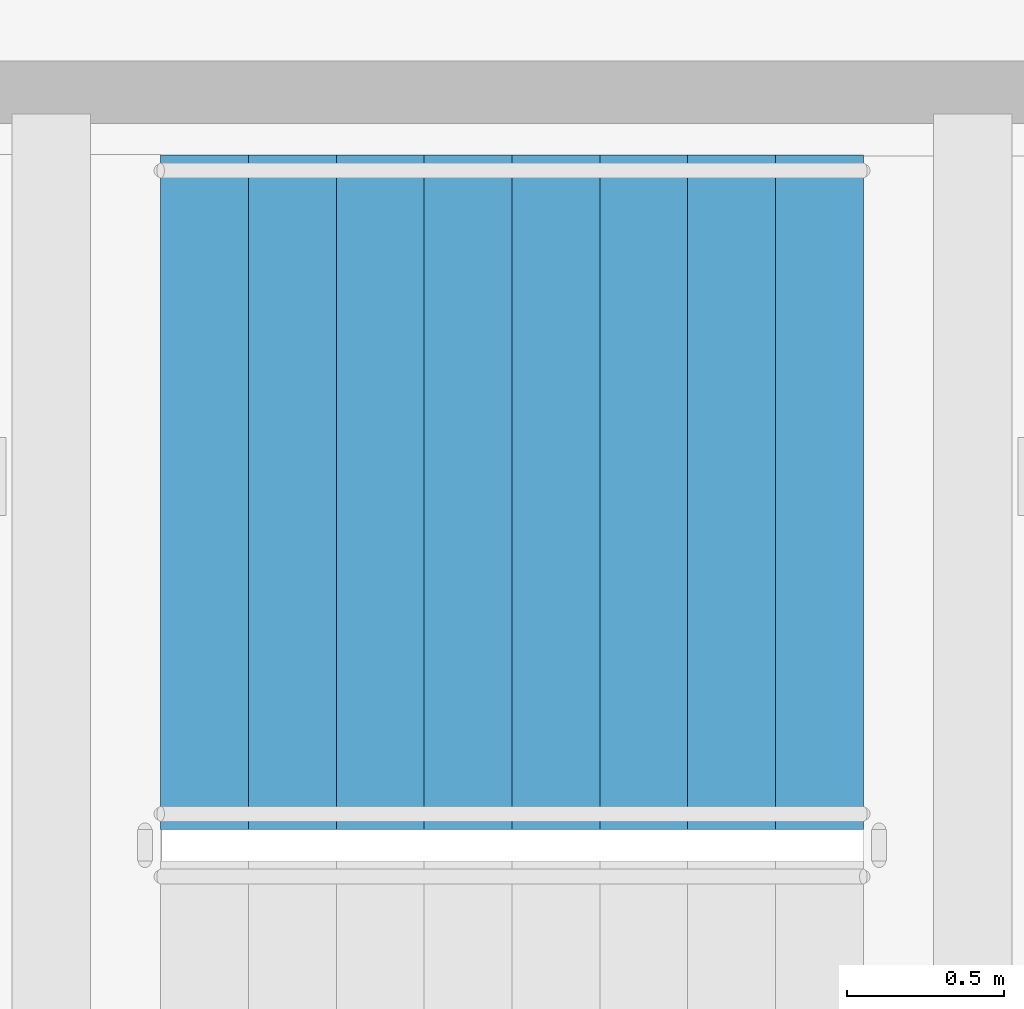
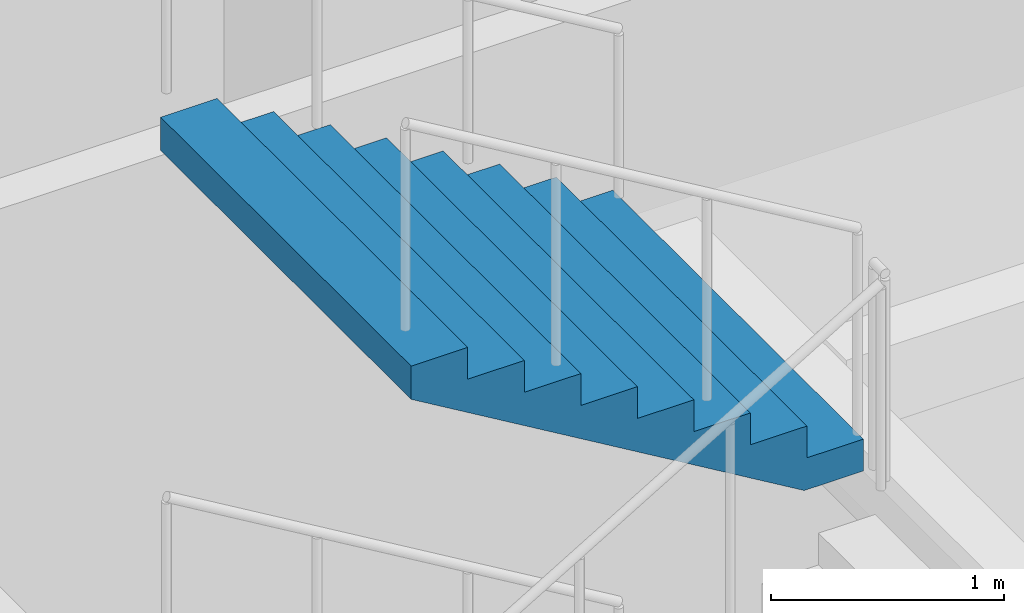
# One storey, part 22 of 29: 1 stair flight, 1 element without a shape of its own.
"""IFC4 building model written with IfcOpenShell, lengths in metres."""

import ifcopenshell
import ifcopenshell.guid

model = None  # the IFC model being written
_history = None  # IfcOwnerHistory: only IFC2X3 demands one
_inside = {}  # id of a spatial element -> (the spatial element, [elements in it])
_under = {}  # id of a project, library or spatial element -> (it, [spatial elements below it])
_declared = {}  # id of a project -> (the project, [libraries it declares])
_typed = {}  # id of a type object -> (the type object, [elements of that type])
_made_of = {}  # id of a material, layer set ... -> (it, [elements and type objects made of it])


def new_model(schema):
    """Start an empty IFC model of exactly this schema.

    Asked for "IFC4X3", IfcOpenShell would pick the latest addendum, in which some entities
    have other attributes; the version numbers below select the first issue.
    IFC2X3 requires an IfcOwnerHistory on every rooted entity: one is made here for all.
    """
    global model, _history
    if schema == "IFC4X3":
        model = ifcopenshell.file(schema_version=(4, 3, 0, 0))
    else:
        model = ifcopenshell.file(schema=schema)
    _inside.clear()
    _under.clear()
    _declared.clear()
    _typed.clear()
    _made_of.clear()
    _history = None
    if model.schema == "IFC2X3":
        org = make("IfcOrganization", Name="unknown")
        user = make(
            "IfcPersonAndOrganization",
            ThePerson=make("IfcPerson", FamilyName="unknown"),
            TheOrganization=org,
        )
        app = make(
            "IfcApplication",
            ApplicationDeveloper=org,
            Version="unknown",
            ApplicationFullName="unknown",
            ApplicationIdentifier="unknown",
        )
        _history = make(
            "IfcOwnerHistory",
            OwningUser=user,
            OwningApplication=app,
            ChangeAction="ADDED",
            CreationDate=0,
        )
    return model


def make(cls, **values):
    """One entity of the class cls with the attributes given. An attribute that is None is left unset."""
    return model.create_entity(
        cls, **{name: value for name, value in values.items() if value is not None}
    )


def rooted(cls, **values):
    """An entity with a GlobalId (a new one), such as an element, a storey or a relation."""
    return make(cls, GlobalId=ifcopenshell.guid.new(), OwnerHistory=_history, **values)


def si_unit(unit_type, name, prefix=None):
    """IfcSIUnit, for example si_unit("LENGTHUNIT", "METRE", prefix="MILLI")."""
    return make("IfcSIUnit", UnitType=unit_type, Prefix=prefix, Name=name)


def assignment(units):
    """IfcUnitAssignment: the units of a project."""
    return None if units is None else make("IfcUnitAssignment", Units=units)


def point(xyz):
    """IfcCartesianPoint."""
    return None if xyz is None else make("IfcCartesianPoint", Coordinates=xyz)


def direction(xyz):
    """IfcDirection."""
    return None if xyz is None else make("IfcDirection", DirectionRatios=xyz)


def frame(location, z_axis=None, x_axis=None):
    """IfcAxis2Placement3D, a coordinate frame: its origin and axes. An axis left out is left unset."""
    return make(
        "IfcAxis2Placement3D",
        Location=point(location),
        Axis=direction(z_axis),
        RefDirection=direction(x_axis),
    )


def origin():
    """The frame at (0, 0, 0) with its axes left unset."""
    return frame((0.0, 0.0, 0.0))


def place(relative_to, where):
    """IfcLocalPlacement: puts the frame where relative to a parent placement (None: the world)."""
    return make(
        "IfcLocalPlacement", PlacementRelTo=relative_to, RelativePlacement=where
    )


def context(
    kind, dimensions, precision=None, world=None, true_north=None, identifier=None
):
    """IfcGeometricRepresentationContext, for example the 3D "Model" context."""
    return make(
        "IfcGeometricRepresentationContext",
        ContextIdentifier=identifier,
        ContextType=kind,
        CoordinateSpaceDimension=dimensions,
        Precision=precision,
        WorldCoordinateSystem=world,
        TrueNorth=true_north,
    )


def subcontext(parent, identifier, kind, view, scale=None):
    """IfcGeometricRepresentationSubContext, for example "Body" below "Model"."""
    return make(
        "IfcGeometricRepresentationSubContext",
        ContextIdentifier=identifier,
        ContextType=kind,
        ParentContext=parent,
        TargetScale=scale,
        TargetView=view,
    )


def project(units=None, contexts=None):
    """IfcProject with its units and contexts."""
    return rooted(
        "IfcProject",
        Name="project",
        RepresentationContexts=contexts,
        UnitsInContext=assignment(units),
    )


def spatial(cls, under=None, at=None, **own):
    """A site, building, storey or space (cls), placed at a placement, below another one or the project."""
    s = rooted(cls, ObjectPlacement=at, **own)
    if under is not None:
        _under.setdefault(under.id(), (under, []))[1].append(s)
    return s


def point_list(points):
    """IfcCartesianPointList2D or 3D."""
    cls = (
        "IfcCartesianPointList2D" if len(points[0]) == 2 else "IfcCartesianPointList3D"
    )
    return make(cls, CoordList=points)


def triangles(points, corners, closed=None, point_numbers=None):
    """IfcTriangulatedFaceSet: each triangle names its three corners, points numbered from 1."""
    return make(
        "IfcTriangulatedFaceSet",
        Coordinates=point_list(points),
        Closed=closed,
        CoordIndex=corners,
        PnIndex=point_numbers,
    )


def shape(context_of_items, identifier, shape_type, items):
    """IfcShapeRepresentation: the items that make up one representation, for example the "Body"."""
    return make(
        "IfcShapeRepresentation",
        ContextOfItems=context_of_items,
        RepresentationIdentifier=identifier,
        RepresentationType=shape_type,
        Items=items,
    )


def material(Name=None, Category=None):
    """IfcMaterial."""
    return make("IfcMaterial", Name=Name, Category=Category)


def made_of(thing, what):
    """Note that an element or type object is made of a material, layer set ...; save() writes the relation."""
    if what is not None:
        _made_of.setdefault(what.id(), (what, []))[1].append(thing)
    return thing


def type_object(cls, material=None, **own):
    """A type object (cls), such as IfcWallType, which elements share."""
    return made_of(rooted(cls, **own), material)


def element(
    cls,
    number,
    at=None,
    inside=None,
    cuts=None,
    type_object=None,
    material=None,
    context=None,
    identifier="Body",
    shape_type=None,
    held_by="IfcProductDefinitionShape",
    body=None,
    shapes=None,
    **own,
):
    """One element of the class cls, such as IfcWall. Its Tag is "e" and its number.

    at: its placement. inside: the storey or other place that contains it. cuts: it is an
    opening in that element (IfcRelVoidsElement). A single representation is given by context,
    identifier, shape_type and body (its items); several are given by shapes. held_by: the class
    of the entity that holds the representations. save() writes the other relations.
    """
    e = rooted(cls, Tag="e%d" % number, ObjectPlacement=at, **own)
    if body is not None:
        shapes = [shape(context, identifier, shape_type, body)]
    if shapes is not None:
        e.Representation = make(held_by, Representations=shapes)
    if inside is not None:
        _inside.setdefault(inside.id(), (inside, []))[1].append(e)
    if cuts is not None:
        rooted(
            "IfcRelVoidsElement", RelatingBuildingElement=cuts, RelatedOpeningElement=e
        )
    if type_object is not None:
        _typed.setdefault(type_object.id(), (type_object, []))[1].append(e)
    return made_of(e, material)


def aggregate(whole, parts):
    """IfcRelAggregates: a whole, such as a stair, and the parts it consists of."""
    return rooted("IfcRelAggregates", RelatingObject=whole, RelatedObjects=parts)


def save(model, path):
    """Write the relations noted so far, then the file.

    IfcRelAggregates (storeys below a building ...), IfcRelContainedInSpatialStructure (elements
    in a storey), IfcRelDefinesByType, IfcRelAssociatesMaterial and IfcRelDeclares: one each for
    every whole, place, type object, material and project.
    """
    for whole, parts in _under.values():
        aggregate(whole, parts)
    for where, things in _inside.values():
        rooted(
            "IfcRelContainedInSpatialStructure",
            RelatedElements=things,
            RelatingStructure=where,
        )
    for kind, things in _typed.values():
        rooted("IfcRelDefinesByType", RelatedObjects=things, RelatingType=kind)
    for what, things in _made_of.values():
        rooted("IfcRelAssociatesMaterial", RelatedObjects=things, RelatingMaterial=what)
    for by, libraries in _declared.values():
        rooted("IfcRelDeclares", RelatingContext=by, RelatedDefinitions=libraries)
    model.write(path)


model = new_model("IFC4")

# Units and contexts
model_context = context("Model", 3, precision=1e-05, world=origin(), true_north=direction((0.0, 1.0)))
body_context = subcontext(model_context, "Body", "Model", "MODEL_VIEW")
ifc_project = project(units=[si_unit("LENGTHUNIT", "METRE"), si_unit("AREAUNIT", "SQUARE_METRE"), si_unit("VOLUMEUNIT", "CUBIC_METRE"), si_unit("PLANEANGLEUNIT", "RADIAN"), si_unit("MASSUNIT", "GRAM", prefix="KILO")], contexts=[model_context])

# Site, building, storey
site_placement = place(None, origin())
site = spatial("IfcSite", under=ifc_project, at=site_placement, CompositionType="ELEMENT")
building_placement = place(site_placement, origin())
building = spatial("IfcBuilding", under=site, at=building_placement, Name="Verdalira Terraces Hotel", CompositionType="ELEMENT")
storey_placement = place(building_placement, frame((0.0, 0.0, 8.0)))
storey = spatial("IfcBuildingStorey", under=building, at=storey_placement, Name="L01", CompositionType="ELEMENT", Elevation=8.0)

# Stair, stair flight
ifc_material_1 = material(Name="Concrete C40", Category="concrete")
stair_type = type_object("IfcStairType", Name="Podium stair 36 risers", PredefinedType="HALF_TURN_STAIR", material=ifc_material_1)
stair_placement = place(storey_placement, origin())
stair = element("IfcStair", 1, at=stair_placement, inside=storey, type_object=stair_type, Name="L01 Exit stair PS1", PredefinedType="HALF_TURN_STAIR")
ifc_material_2 = material(Name="Concrete C40", Category="concrete")
stair_flight_type = type_object("IfcStairFlightType", Name="Podium stair flight 36 risers", PredefinedType="STRAIGHT", material=ifc_material_2)
stair_flight_placement = place(storey_placement, frame((1.48999, 39.925049, 4.5), z_axis=(0.0, 0.0, 1.0), x_axis=(-1.0, 0.0, 0.0)))
stair_flight = element("IfcStairFlight", 2, at=stair_flight_placement, type_object=stair_flight_type, Name="PS1 flight 4", NumberOfRisers=9, NumberOfTreads=8, PredefinedType="STRAIGHT", RiserHeight=0.166666667, TreadLength=0.28, context=body_context, shape_type="Tessellation", body=[
    triangles([(0.0, 1.074951, 0.0), (0.292969, 1.074951, 0.0), (2.23999, 1.074951, 1.158936), (0.0, -1.074951, 0.0), (0.292969, -1.074951, 0.0), (2.23999, -1.074951, 1.158936), (2.23999, 1.074951, 1.333252), (1.959961, 1.074951, 1.333252), (2.23999, -1.074951, 1.333252), (1.959961, -1.074951, 1.333252), (1.959961, 1.074951, 1.166748), (1.959961, -1.074951, 1.166748), (1.679932, 1.074951, 1.166748), (1.679932, -1.074951, 1.166748), (1.679932, 1.074951, 1.0), (1.679932, -1.074951, 1.0), (1.399902, 1.074951, 1.0), (1.399902, 1.074951, 0.833252), (1.399902, -1.074951, 1.0), (1.399902, -1.074951, 0.833252), (1.120117, 1.074951, 0.833252), (1.120117, 1.074951, 0.666748), (1.120117, -1.074951, 0.833252), (1.120117, -1.074951, 0.666748), (0.840088, 1.074951, 0.666748), (0.840088, 1.074951, 0.5), (0.840088, -1.074951, 0.666748), (0.840088, -1.074951, 0.5), (0.560059, 1.074951, 0.5), (0.560059, 1.074951, 0.333252), (0.560059, -1.074951, 0.5), (0.560059, -1.074951, 0.333252), (0.280029, 1.074951, 0.333252), (0.280029, 1.074951, 0.166748), (0.280029, -1.074951, 0.333252), (0.280029, -1.074951, 0.166748), (0.0, 1.074951, 0.166748), (0.0, -1.074951, 0.166748), (0.0, -1.007767, 0.0), (0.0, -1.007767, 0.166748), (0.0, -0.940582, 0.0), (0.0, -0.940582, 0.166748), (0.0, -0.873398, 0.0), (0.0, -0.873398, 0.166748), (0.0, -0.806213, 0.0), (0.0, -0.806213, 0.166748), (0.0, -0.739029, 0.0), (0.0, -0.739029, 0.166748), (0.0, -0.671844, 0.0), (0.0, -0.671844, 0.166748), (0.0, -0.60466, 0.0), (0.0, -0.60466, 0.166748), (0.0, -0.537476, 0.0), (0.0, -0.537476, 0.166748), (0.0, -0.470291, 0.0), (0.0, -0.470291, 0.166748), (0.0, -0.403107, 0.0), (0.0, -0.403107, 0.166748), (0.0, -0.335922, 0.0), (0.0, -0.335922, 0.166748), (0.0, -0.268738, 0.0), (0.0, -0.268738, 0.166748), (0.0, -0.201553, 0.0), (0.0, -0.201553, 0.166748), (0.0, -0.134369, 0.0), (0.0, -0.134369, 0.166748), (0.0, -0.067184, 0.0), (0.0, -0.067184, 0.166748), (0.0, 0.0, 0.0), (0.0, 0.0, 0.166748), (0.0, 0.067184, 0.0), (0.0, 0.067184, 0.166748), (0.0, 0.134369, 0.0), (0.0, 0.134369, 0.166748), (0.0, 0.201553, 0.0), (0.0, 0.201553, 0.166748), (0.0, 0.268738, 0.0), (0.0, 0.268738, 0.166748), (0.0, 0.335922, 0.0), (0.0, 0.335922, 0.166748), (0.0, 0.403107, 0.0), (0.0, 0.403107, 0.166748), (0.0, 0.470291, 0.0), (0.0, 0.470291, 0.166748), (0.0, 0.537476, 0.0), (0.0, 0.537476, 0.166748), (0.0, 0.60466, 0.0), (0.0, 0.60466, 0.166748), (0.0, 0.671844, 0.0), (0.0, 0.671844, 0.166748), (0.0, 0.739029, 0.0), (0.0, 0.739029, 0.166748), (0.0, 0.806213, 0.0), (0.0, 0.806213, 0.166748), (0.0, 0.873398, 0.0), (0.0, 0.873398, 0.166748), (0.0, 0.940582, 0.0), (0.0, 0.940582, 0.166748), (0.0, 1.007767, 0.0), (0.0, 1.007767, 0.166748), (2.23999, -1.007767, 1.333252), (2.23999, -0.940582, 1.333252), (2.23999, -0.873398, 1.333252), (2.23999, -0.806213, 1.333252), (2.23999, -0.739029, 1.333252), (2.23999, -0.671844, 1.333252), (2.23999, -0.60466, 1.333252), (2.23999, -0.537476, 1.333252), (2.23999, -0.470291, 1.333252), (2.23999, -0.403107, 1.333252), (2.23999, -0.335922, 1.333252), (2.23999, -0.268738, 1.333252), (2.23999, -0.201553, 1.333252), (2.23999, -0.134369, 1.333252), (2.23999, -0.067184, 1.333252), (2.23999, 0.0, 1.333252), (2.23999, 0.067184, 1.333252), (2.23999, 0.134369, 1.333252), (2.23999, 0.201553, 1.333252), (2.23999, 0.268738, 1.333252), (2.23999, 0.335922, 1.333252), (2.23999, 0.403107, 1.333252), (2.23999, 0.470291, 1.333252), (2.23999, 0.537476, 1.333252), (2.23999, 0.60466, 1.333252), (2.23999, 0.671844, 1.333252), (2.23999, 0.739029, 1.333252), (2.23999, 0.806213, 1.333252), (2.23999, 0.873398, 1.333252), (2.23999, 0.940582, 1.333252), (2.23999, 1.007767, 1.333252), (2.23999, -1.007767, 1.158936), (2.23999, -0.940582, 1.158936), (2.23999, -0.873398, 1.158936), (2.23999, -0.806213, 1.158936), (2.23999, -0.739029, 1.158936), (2.23999, -0.671844, 1.158936), (2.23999, -0.60466, 1.158936), (2.23999, -0.537476, 1.158936), (2.23999, -0.470291, 1.158936), (2.23999, -0.403107, 1.158936), (2.23999, -0.335922, 1.158936), (2.23999, -0.268738, 1.158936), (2.23999, -0.201553, 1.158936), (2.23999, -0.134369, 1.158936), (2.23999, -0.067184, 1.158936), (2.23999, 0.0, 1.158936), (2.23999, 0.067184, 1.158936), (2.23999, 0.134369, 1.158936), (2.23999, 0.201553, 1.158936), (2.23999, 0.268738, 1.158936), (2.23999, 0.335922, 1.158936), (2.23999, 0.403107, 1.158936), (2.23999, 0.470291, 1.158936), (2.23999, 0.537476, 1.158936), (2.23999, 0.60466, 1.158936), (2.23999, 0.671844, 1.158936), (2.23999, 0.739029, 1.158936), (2.23999, 0.806213, 1.158936), (2.23999, 0.873398, 1.158936), (2.23999, 0.940582, 1.158936), (2.23999, 1.007767, 1.158936)], [[1, 3, 2], [4, 5, 6], [3, 8, 7], [6, 9, 10], [3, 11, 8], [6, 10, 12], [3, 13, 11], [6, 12, 14], [3, 15, 13], [6, 14, 16], [15, 18, 17], [16, 19, 20], [3, 18, 15], [6, 16, 20], [18, 22, 21], [20, 23, 24], [3, 22, 18], [6, 20, 24], [22, 26, 25], [24, 27, 28], [3, 26, 22], [6, 24, 28], [26, 30, 29], [28, 31, 32], [3, 30, 26], [6, 28, 32], [1, 30, 3], [4, 6, 32], [30, 34, 33], [32, 35, 36], [1, 34, 30], [4, 32, 36], [34, 1, 37], [36, 38, 4], [4, 40, 39], [4, 38, 40], [39, 42, 41], [39, 40, 42], [41, 44, 43], [41, 42, 44], [43, 46, 45], [43, 44, 46], [45, 48, 47], [45, 46, 48], [47, 50, 49], [47, 48, 50], [49, 52, 51], [49, 50, 52], [51, 54, 53], [51, 52, 54], [53, 56, 55], [53, 54, 56], [55, 58, 57], [55, 56, 58], [57, 60, 59], [57, 58, 60], [59, 62, 61], [59, 60, 62], [61, 64, 63], [61, 62, 64], [63, 66, 65], [63, 64, 66], [65, 68, 67], [65, 66, 68], [67, 70, 69], [67, 68, 70], [69, 72, 71], [69, 70, 72], [71, 74, 73], [71, 72, 74], [73, 76, 75], [73, 74, 76], [75, 78, 77], [75, 76, 78], [77, 80, 79], [77, 78, 80], [79, 82, 81], [79, 80, 82], [81, 84, 83], [81, 82, 84], [83, 86, 85], [83, 84, 86], [85, 88, 87], [85, 86, 88], [87, 90, 89], [87, 88, 90], [89, 92, 91], [89, 90, 92], [91, 94, 93], [91, 92, 94], [93, 96, 95], [93, 94, 96], [95, 98, 97], [95, 96, 98], [97, 100, 99], [97, 98, 100], [99, 37, 1], [99, 100, 37], [38, 36, 40], [40, 36, 42], [42, 36, 44], [44, 36, 46], [46, 36, 48], [48, 36, 50], [50, 36, 52], [52, 36, 54], [54, 36, 56], [56, 36, 58], [58, 36, 60], [60, 36, 62], [62, 36, 64], [64, 36, 66], [66, 36, 68], [68, 36, 70], [70, 36, 72], [72, 36, 74], [74, 36, 76], [76, 36, 78], [78, 36, 80], [80, 36, 82], [82, 36, 84], [84, 36, 86], [86, 36, 88], [88, 36, 90], [90, 36, 92], [92, 36, 94], [94, 36, 96], [96, 36, 98], [98, 36, 100], [100, 36, 37], [37, 36, 34], [36, 33, 34], [36, 35, 33], [35, 30, 33], [35, 32, 30], [32, 29, 30], [32, 31, 29], [31, 26, 29], [31, 28, 26], [28, 25, 26], [28, 27, 25], [27, 22, 25], [27, 24, 22], [24, 21, 22], [24, 23, 21], [23, 18, 21], [23, 20, 18], [20, 17, 18], [20, 19, 17], [19, 15, 17], [19, 16, 15], [16, 13, 15], [16, 14, 13], [14, 11, 13], [14, 12, 11], [12, 8, 11], [12, 10, 8], [9, 101, 10], [101, 102, 10], [102, 103, 10], [103, 104, 10], [104, 105, 10], [105, 106, 10], [106, 107, 10], [107, 108, 10], [108, 109, 10], [109, 110, 10], [110, 111, 10], [111, 112, 10], [112, 113, 10], [113, 114, 10], [114, 115, 10], [115, 116, 10], [116, 117, 10], [117, 118, 10], [118, 119, 10], [119, 120, 10], [120, 121, 10], [121, 122, 10], [122, 123, 10], [123, 124, 10], [124, 125, 10], [125, 126, 10], [126, 127, 10], [127, 128, 10], [128, 129, 10], [129, 130, 10], [130, 131, 10], [131, 7, 10], [7, 8, 10], [9, 132, 101], [9, 6, 132], [101, 133, 102], [101, 132, 133], [102, 134, 103], [102, 133, 134], [103, 135, 104], [103, 134, 135], [104, 136, 105], [104, 135, 136], [105, 137, 106], [105, 136, 137], [106, 138, 107], [106, 137, 138], [107, 139, 108], [107, 138, 139], [108, 140, 109], [108, 139, 140], [109, 141, 110], [109, 140, 141], [110, 142, 111], [110, 141, 142], [111, 143, 112], [111, 142, 143], [112, 144, 113], [112, 143, 144], [113, 145, 114], [113, 144, 145], [114, 146, 115], [114, 145, 146], [115, 147, 116], [115, 146, 147], [116, 148, 117], [116, 147, 148], [117, 149, 118], [117, 148, 149], [118, 150, 119], [118, 149, 150], [119, 151, 120], [119, 150, 151], [120, 152, 121], [120, 151, 152], [121, 153, 122], [121, 152, 153], [122, 154, 123], [122, 153, 154], [123, 155, 124], [123, 154, 155], [124, 156, 125], [124, 155, 156], [125, 157, 126], [125, 156, 157], [126, 158, 127], [126, 157, 158], [127, 159, 128], [127, 158, 159], [128, 160, 129], [128, 159, 160], [129, 161, 130], [129, 160, 161], [130, 162, 131], [130, 161, 162], [131, 3, 7], [131, 162, 3], [6, 5, 132], [132, 5, 133], [133, 5, 134], [134, 5, 135], [135, 5, 136], [136, 5, 137], [137, 5, 138], [138, 5, 139], [139, 5, 140], [140, 5, 141], [141, 5, 142], [142, 5, 143], [143, 5, 144], [144, 5, 145], [145, 5, 146], [146, 5, 147], [147, 5, 148], [148, 5, 149], [149, 5, 150], [150, 5, 151], [151, 5, 152], [152, 5, 153], [153, 5, 154], [154, 5, 155], [155, 5, 156], [156, 5, 157], [157, 5, 158], [158, 5, 159], [159, 5, 160], [160, 5, 161], [161, 5, 162], [162, 5, 3], [3, 5, 2], [4, 39, 5], [39, 41, 5], [41, 43, 5], [43, 45, 5], [45, 47, 5], [47, 49, 5], [49, 51, 5], [51, 53, 5], [53, 55, 5], [55, 57, 5], [57, 59, 5], [59, 61, 5], [61, 63, 5], [63, 65, 5], [65, 67, 5], [67, 69, 5], [69, 71, 5], [71, 73, 5], [73, 75, 5], [75, 77, 5], [77, 79, 5], [79, 81, 5], [81, 83, 5], [83, 85, 5], [85, 87, 5], [87, 89, 5], [89, 91, 5], [91, 93, 5], [93, 95, 5], [95, 97, 5], [97, 99, 5], [99, 1, 5], [1, 2, 5]], closed=True),
])
aggregate(stair, [stair_flight])

save(model, "model.ifc")
